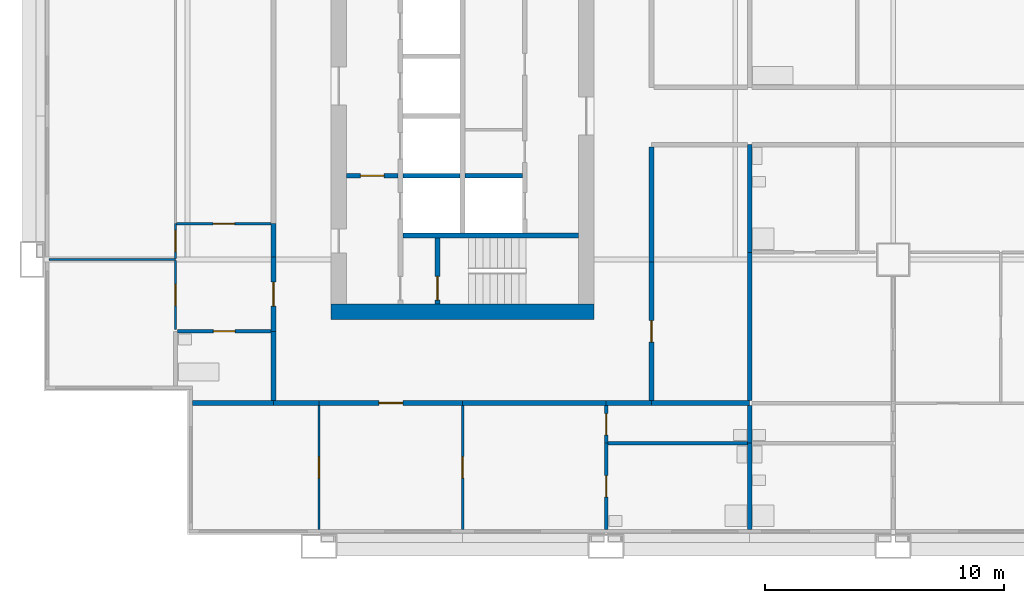
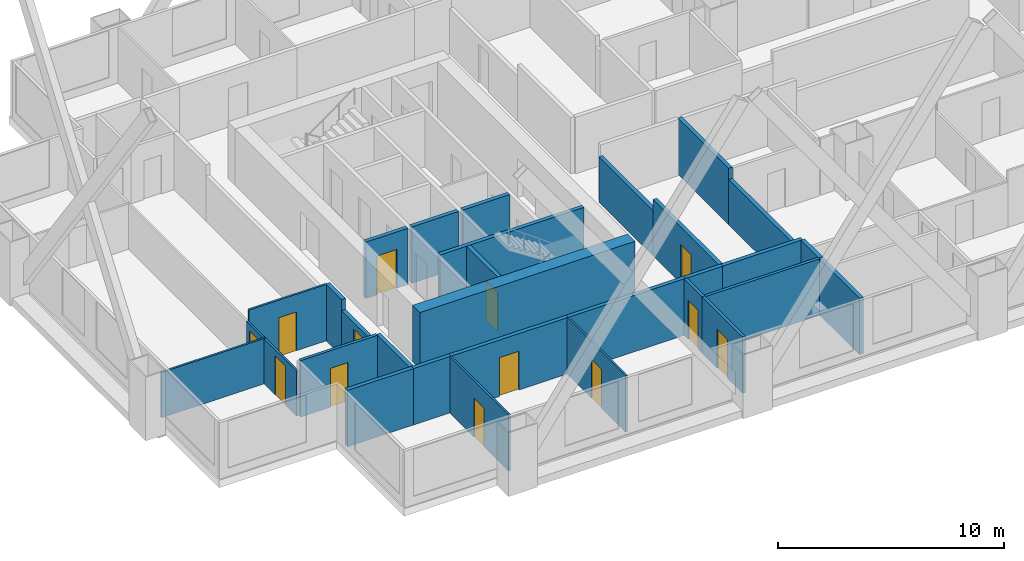
# One storey, part 2 of 11: 31 walls, 13 doors, 13 openings.
"""IFC4 building model written with IfcOpenShell, lengths in metres."""

from ifc_helpers import new_model, si_unit, direction, frame, frame_2d, origin, place, context, subcontext, project, spatial, rectangle, extrude, material, layer, layer_set, type_object, element, fill, save


model = new_model("IFC4")

# Units and contexts
model_context = context("Model", 3, precision=1e-05, world=origin(), true_north=direction((0.0, 1.0)))
body_context = subcontext(model_context, "Body", "Model", "MODEL_VIEW")
ifc_project = project(units=[si_unit("LENGTHUNIT", "METRE"), si_unit("AREAUNIT", "SQUARE_METRE"), si_unit("VOLUMEUNIT", "CUBIC_METRE"), si_unit("PLANEANGLEUNIT", "RADIAN"), si_unit("MASSUNIT", "GRAM", prefix="KILO")], contexts=[model_context])

# Site, building, storey
site_placement = place(None, origin())
site = spatial("IfcSite", under=ifc_project, at=site_placement, CompositionType="ELEMENT")
building_placement = place(site_placement, origin())
building = spatial("IfcBuilding", under=site, at=building_placement, Name="Kitamizu Gate Tower and Museum", CompositionType="ELEMENT")
storey_placement = place(building_placement, frame((0.0, 0.0, 113.85009765625)))
storey = spatial("IfcBuildingStorey", under=building, at=storey_placement, Name="L29", CompositionType="ELEMENT", Elevation=113.85009765625)

# Wall
ifc_material_1 = material(Name="Concrete Fc60", Category="concrete")
ifc_layer_1 = layer(ifc_material_1, 0.64990234375)
ifc_layer_set_1 = layer_set([ifc_layer_1], Name="Concrete Fc60")
wall_type_1 = type_object("IfcWallType", Name="Core wall 650", PredefinedType="SHEAR", material=ifc_layer_set_1)
wall_1_placement = place(storey_placement, frame((12.5, 21.824951171875, 0.0), z_axis=(0.0, 0.0, 1.0), x_axis=(1.0, 0.0, 0.0)))
element("IfcWall", 1, at=wall_1_placement, inside=storey, type_object=wall_type_1, Name="Core wall WS", PredefinedType="SHEAR", context=body_context, shape_type="SweptSolid", body=[
    extrude(rectangle(XDim=11.0, YDim=0.64990234375, at=frame_2d((5.5, 0.0))), origin(), (0.0, 0.0, 1.0), 3.0498046875),
])

# Wall, opening, door
ifc_material_2 = material(Name="Gypsum board on galvanised stud")
ifc_layer_2 = layer(ifc_material_2, 0.10009765625)
ifc_layer_set_2 = layer_set([ifc_layer_2], Name="Gypsum board on galvanised stud")
wall_type_2 = type_object("IfcWallType", Name="Partition 100 NOT RATED", PredefinedType="PARTITIONING", material=ifc_layer_set_2)
wall_2_placement = place(storey_placement, frame((12.0, 12.719970703125, 0.0), z_axis=(0.0, 0.0, 1.0), x_axis=(0.0, 1.0, 0.0)))
wall_2 = element("IfcWall", 2, at=wall_2_placement, inside=storey, type_object=wall_type_2, Name="Partition L29-001", PredefinedType="PARTITIONING", context=body_context, shape_type="SweptSolid", body=[
    extrude(rectangle(XDim=5.179931640625, YDim=0.10009765625, at=frame_2d((2.58984375, 0.0))), origin(), (0.0, 0.0, 1.0), 3.0498046875),
])
opening_1_placement = place(wall_2_placement, frame((2.139892578125, 0.0, 0.0)))
opening_1 = element("IfcOpeningElement", 3, at=opening_1_placement, cuts=wall_2, Name="Opening L29-002", PredefinedType="OPENING", context=body_context, shape_type="SweptSolid", body=[
    extrude(rectangle(XDim=0.89990234375, YDim=2.10009765625, at=frame_2d((0.449951171875, 1.050048828125))), frame((0.0, 0.06005859375, 0.0), z_axis=(0.0, -1.0, 0.0), x_axis=(1.0, 0.0, 0.0)), (0.0, 0.0, 1.0), 0.1201171875),
])
ifc_material_3 = material(Name="Timber door set", Category="wood")
door_type_1 = type_object("IfcDoorType", Name="Room door 900", OperationType="NOTDEFINED", PredefinedType="DOOR", material=ifc_material_3)
door_1_placement = place(opening_1_placement, origin())
door_1 = element("IfcDoor", 4, at=door_1_placement, inside=storey, type_object=door_type_1, Name="Door L29-002", OperationType="SINGLE_SWING_LEFT", OverallHeight=2.10009765625, OverallWidth=0.89990234375, PredefinedType="DOOR", context=body_context, shape_type="SweptSolid", body=[
    extrude(rectangle(XDim=0.89990234375, YDim=2.10009765625, at=frame_2d((0.449951171875, 1.050048828125))), frame((0.0, 0.02490234375, 0.0), z_axis=(0.0, -1.0, 0.0), x_axis=(1.0, 0.0, 0.0)), (0.0, 0.0, 1.0), 0.050048828125),
])
fill(opening_1, door_1)

wall_3_placement = place(storey_placement, frame((18.0, 12.719970703125, 0.0), z_axis=(0.0, 0.0, 1.0), x_axis=(0.0, 1.0, 0.0)))
wall_3 = element("IfcWall", 5, at=wall_3_placement, inside=storey, type_object=wall_type_2, Name="Partition L29-004", PredefinedType="PARTITIONING", context=body_context, shape_type="SweptSolid", body=[
    extrude(rectangle(XDim=5.179931640625, YDim=0.10009765625, at=frame_2d((2.58984375, 0.0))), origin(), (0.0, 0.0, 1.0), 3.0498046875),
])
opening_2_placement = place(wall_3_placement, frame((2.139892578125, 0.0, 0.0)))
opening_2 = element("IfcOpeningElement", 6, at=opening_2_placement, cuts=wall_3, Name="Opening L29-003", PredefinedType="OPENING", context=body_context, shape_type="SweptSolid", body=[
    extrude(rectangle(XDim=0.89990234375, YDim=2.10009765625, at=frame_2d((0.449951171875, 1.050048828125))), frame((0.0, 0.06005859375, 0.0), z_axis=(0.0, -1.0, 0.0), x_axis=(1.0, 0.0, 0.0)), (0.0, 0.0, 1.0), 0.1201171875),
])
door_2_placement = place(opening_2_placement, frame((0.89990234375, 0.0, 0.0), x_axis=(-1.0, 0.0, 0.0)))
door_2 = element("IfcDoor", 7, at=door_2_placement, inside=storey, type_object=door_type_1, Name="Door L29-003", OperationType="SINGLE_SWING_LEFT", OverallHeight=2.10009765625, OverallWidth=0.89990234375, PredefinedType="DOOR", context=body_context, shape_type="SweptSolid", body=[
    extrude(rectangle(XDim=0.89990234375, YDim=2.10009765625, at=frame_2d((0.449951171875, 1.050048828125))), frame((0.0, 0.02490234375, 0.0), z_axis=(0.0, -1.0, 0.0), x_axis=(1.0, 0.0, 0.0)), (0.0, 0.0, 1.0), 0.050048828125),
])
fill(opening_2, door_2)

# Wall
wall_4_placement = place(storey_placement, frame((6.0, 24.0, 0.0), z_axis=(0.0, 0.0, 1.0), x_axis=(-1.0, 0.0, 0.0)))
element("IfcWall", 8, at=wall_4_placement, inside=storey, type_object=wall_type_2, Name="Partition L29-019", PredefinedType="PARTITIONING", context=body_context, shape_type="SweptSolid", body=[
    extrude(rectangle(XDim=5.280029296875, YDim=0.10009765625, at=frame_2d((2.64013671875, 0.0))), origin(), (0.0, 0.0, 1.0), 2.449951171875),
])

# Wall, opening, door
wall_5_placement = place(storey_placement, frame((6.0, 21.074951171875, 0.0), z_axis=(0.0, 0.0, 1.0), x_axis=(0.0, 1.0, 0.0)))
wall_5 = element("IfcWall", 9, at=wall_5_placement, inside=storey, type_object=wall_type_2, Name="Partition L29-021", PredefinedType="PARTITIONING", context=body_context, shape_type="SweptSolid", body=[
    extrude(rectangle(XDim=2.875, YDim=0.10009765625, at=frame_2d((1.4375, 0.0))), origin(), (0.0, 0.0, 1.0), 2.449951171875),
])
opening_3_placement = place(wall_5_placement, frame((0.987548828125, 0.0, 0.0)))
opening_3 = element("IfcOpeningElement", 10, at=opening_3_placement, cuts=wall_5, Name="Opening L29-007", PredefinedType="OPENING", context=body_context, shape_type="SweptSolid", body=[
    extrude(rectangle(XDim=0.89990234375, YDim=2.10009765625, at=frame_2d((0.449951171875, 1.050048828125))), frame((0.0, 0.06005859375, 0.0), z_axis=(0.0, -1.0, 0.0), x_axis=(1.0, 0.0, 0.0)), (0.0, 0.0, 1.0), 0.1201171875),
])
door_3_placement = place(opening_3_placement, origin())
door_3 = element("IfcDoor", 11, at=door_3_placement, inside=storey, type_object=door_type_1, Name="Door L29-007", OperationType="SINGLE_SWING_LEFT", OverallHeight=2.10009765625, OverallWidth=0.89990234375, PredefinedType="DOOR", context=body_context, shape_type="SweptSolid", body=[
    extrude(rectangle(XDim=0.89990234375, YDim=2.10009765625, at=frame_2d((0.449951171875, 1.050048828125))), frame((0.0, 0.02490234375, 0.0), z_axis=(0.0, -1.0, 0.0), x_axis=(1.0, 0.0, 0.0)), (0.0, 0.0, 1.0), 0.050048828125),
])
fill(opening_3, door_3)

wall_6_placement = place(storey_placement, frame((6.0, 24.050048828125, 0.0), z_axis=(0.0, 0.0, 1.0), x_axis=(0.0, 1.0, 0.0)))
wall_6 = element("IfcWall", 12, at=wall_6_placement, inside=storey, type_object=wall_type_2, Name="Partition L29-023", PredefinedType="PARTITIONING", context=body_context, shape_type="SweptSolid", body=[
    extrude(rectangle(XDim=1.449951171875, YDim=0.10009765625, at=frame_2d((0.72509765625, 0.0))), origin(), (0.0, 0.0, 1.0), 2.449951171875),
])
opening_4_placement = place(wall_6_placement, frame((0.27490234375, 0.0, 0.0)))
opening_4 = element("IfcOpeningElement", 13, at=opening_4_placement, cuts=wall_6, Name="Opening L29-008", PredefinedType="OPENING", context=body_context, shape_type="SweptSolid", body=[
    extrude(rectangle(XDim=0.89990234375, YDim=2.10009765625, at=frame_2d((0.449951171875, 1.050048828125))), frame((0.0, 0.06005859375, 0.0), z_axis=(0.0, -1.0, 0.0), x_axis=(1.0, 0.0, 0.0)), (0.0, 0.0, 1.0), 0.1201171875),
])
door_4_placement = place(opening_4_placement, origin())
door_4 = element("IfcDoor", 14, at=door_4_placement, inside=storey, type_object=door_type_1, Name="Door L29-008", OperationType="SINGLE_SWING_RIGHT", OverallHeight=2.10009765625, OverallWidth=0.89990234375, PredefinedType="DOOR", context=body_context, shape_type="SweptSolid", body=[
    extrude(rectangle(XDim=0.89990234375, YDim=2.10009765625, at=frame_2d((0.449951171875, 1.050048828125))), frame((0.0, 0.02490234375, 0.0), z_axis=(0.0, -1.0, 0.0), x_axis=(1.0, 0.0, 0.0)), (0.0, 0.0, 1.0), 0.050048828125),
])
fill(opening_4, door_4)

wall_7_placement = place(storey_placement, frame((10.0, 25.5, 0.0), z_axis=(0.0, 0.0, 1.0), x_axis=(-1.0, 0.0, 0.0)))
wall_7 = element("IfcWall", 15, at=wall_7_placement, inside=storey, type_object=wall_type_2, Name="Partition L29-029", PredefinedType="PARTITIONING", context=body_context, shape_type="SweptSolid", body=[
    extrude(rectangle(XDim=3.949951171875, YDim=0.10009765625, at=frame_2d((1.97509765625, 0.0))), origin(), (0.0, 0.0, 1.0), 3.0498046875),
])
opening_5_placement = place(wall_7_placement, frame((1.52490234375, 0.0, 0.0)))
opening_5 = element("IfcOpeningElement", 16, at=opening_5_placement, cuts=wall_7, Name="Opening L29-009", PredefinedType="OPENING", context=body_context, shape_type="SweptSolid", body=[
    extrude(rectangle(XDim=0.89990234375, YDim=2.10009765625, at=frame_2d((0.449951171875, 1.050048828125))), frame((0.0, 0.06005859375, 0.0), z_axis=(0.0, -1.0, 0.0), x_axis=(1.0, 0.0, 0.0)), (0.0, 0.0, 1.0), 0.1201171875),
])
door_5_placement = place(opening_5_placement, origin())
door_5 = element("IfcDoor", 17, at=door_5_placement, inside=storey, type_object=door_type_1, Name="Door L29-009", OperationType="SINGLE_SWING_LEFT", OverallHeight=2.10009765625, OverallWidth=0.89990234375, PredefinedType="DOOR", context=body_context, shape_type="SweptSolid", body=[
    extrude(rectangle(XDim=0.89990234375, YDim=2.10009765625, at=frame_2d((0.449951171875, 1.050048828125))), frame((0.0, 0.02490234375, 0.0), z_axis=(0.0, -1.0, 0.0), x_axis=(1.0, 0.0, 0.0)), (0.0, 0.0, 1.0), 0.050048828125),
])
fill(opening_5, door_5)

ifc_material_4 = material(Name="Gypsum board on galvanised stud")
ifc_layer_3 = layer(ifc_material_4, 0.14990234375)
ifc_layer_set_3 = layer_set([ifc_layer_3], Name="Gypsum board on galvanised stud")
wall_type_3 = type_object("IfcWallType", Name="Partition 150", PredefinedType="PARTITIONING", material=ifc_layer_set_3)
wall_8_placement = place(storey_placement, frame((24.0, 12.719970703125, 0.0), z_axis=(0.0, 0.0, 1.0), x_axis=(0.0, 1.0, 0.0)))
wall_8 = element("IfcWall", 18, at=wall_8_placement, inside=storey, type_object=wall_type_3, Name="Partition L29-006", PredefinedType="PARTITIONING", context=body_context, shape_type="SweptSolid", body=[
    extrude(rectangle(XDim=3.60009765625, YDim=0.14990234375, at=frame_2d((1.800048828125, 0.0))), origin(), (0.0, 0.0, 1.0), 3.0498046875),
])
opening_6_placement = place(wall_8_placement, frame((1.35009765625, 0.0, 0.0)))
opening_6 = element("IfcOpeningElement", 19, at=opening_6_placement, cuts=wall_8, Name="Opening L29-004", PredefinedType="OPENING", context=body_context, shape_type="SweptSolid", body=[
    extrude(rectangle(XDim=0.89990234375, YDim=2.10009765625, at=frame_2d((0.449951171875, 1.050048828125))), frame((0.0, 0.0849609375, 0.0), z_axis=(0.0, -1.0, 0.0), x_axis=(1.0, 0.0, 0.0)), (0.0, 0.0, 1.0), 0.169921875),
])
ifc_material_5 = material(Name="Timber door set", Category="wood")
door_type_2 = type_object("IfcDoorType", Name="Bathroom door 900", OperationType="NOTDEFINED", PredefinedType="DOOR", material=ifc_material_5)
door_6_placement = place(opening_6_placement, frame((0.89990234375, 0.0, 0.0), x_axis=(-1.0, 0.0, 0.0)))
door_6 = element("IfcDoor", 20, at=door_6_placement, inside=storey, type_object=door_type_2, Name="Bathroom door L29-004", OperationType="SINGLE_SWING_RIGHT", OverallHeight=2.10009765625, OverallWidth=0.89990234375, PredefinedType="DOOR", context=body_context, shape_type="SweptSolid", body=[
    extrude(rectangle(XDim=0.89990234375, YDim=2.10009765625, at=frame_2d((0.449951171875, 1.050048828125))), frame((0.0, 0.02490234375, 0.0), z_axis=(0.0, -1.0, 0.0), x_axis=(1.0, 0.0, 0.0)), (0.0, 0.0, 1.0), 0.050048828125),
])
fill(opening_6, door_6)

wall_9_placement = place(storey_placement, frame((24.0, 16.320068359375, 0.0), z_axis=(0.0, 0.0, 1.0), x_axis=(0.0, 1.0, 0.0)))
wall_9 = element("IfcWall", 21, at=wall_9_placement, inside=storey, type_object=wall_type_3, Name="Partition L29-007", PredefinedType="PARTITIONING", context=body_context, shape_type="SweptSolid", body=[
    extrude(rectangle(XDim=1.579833984375, YDim=0.14990234375, at=frame_2d((0.7900390625, 0.0))), origin(), (0.0, 0.0, 1.0), 3.0498046875),
])
opening_7_placement = place(wall_9_placement, frame((0.340087890625, 0.0, 0.0)))
opening_7 = element("IfcOpeningElement", 22, at=opening_7_placement, cuts=wall_9, Name="Opening L29-005", PredefinedType="OPENING", context=body_context, shape_type="SweptSolid", body=[
    extrude(rectangle(XDim=0.89990234375, YDim=2.10009765625, at=frame_2d((0.449951171875, 1.050048828125))), frame((0.0, 0.0849609375, 0.0), z_axis=(0.0, -1.0, 0.0), x_axis=(1.0, 0.0, 0.0)), (0.0, 0.0, 1.0), 0.169921875),
])
door_7_placement = place(opening_7_placement, frame((0.89990234375, 0.0, 0.0), x_axis=(-1.0, 0.0, 0.0)))
door_7 = element("IfcDoor", 23, at=door_7_placement, inside=storey, type_object=door_type_2, Name="Bathroom door L29-005", OperationType="SINGLE_SWING_LEFT", OverallHeight=2.10009765625, OverallWidth=0.89990234375, PredefinedType="DOOR", context=body_context, shape_type="SweptSolid", body=[
    extrude(rectangle(XDim=0.89990234375, YDim=2.10009765625, at=frame_2d((0.449951171875, 1.050048828125))), frame((0.0, 0.02490234375, 0.0), z_axis=(0.0, -1.0, 0.0), x_axis=(1.0, 0.0, 0.0)), (0.0, 0.0, 1.0), 0.050048828125),
])
fill(opening_7, door_7)

# Wall
wall_10_placement = place(storey_placement, frame((29.89990234375, 16.320068359375, 0.0), z_axis=(0.0, 0.0, 1.0), x_axis=(-1.0, 0.0, 0.0)))
element("IfcWall", 24, at=wall_10_placement, inside=storey, type_object=wall_type_3, Name="Partition L29-009", PredefinedType="PARTITIONING", context=body_context, shape_type="SweptSolid", body=[
    extrude(rectangle(XDim=5.824951171875, YDim=0.14990234375, at=frame_2d((2.91259765625, 0.0))), origin(), (0.0, 0.0, 1.0), 3.0498046875),
])

# Wall, opening, door
wall_11_placement = place(storey_placement, frame((10.0, 21.0, 0.0), z_axis=(0.0, 0.0, 1.0), x_axis=(-1.0, 0.0, 0.0)))
wall_11 = element("IfcWall", 25, at=wall_11_placement, inside=storey, type_object=wall_type_3, Name="Partition L29-027", PredefinedType="PARTITIONING", context=body_context, shape_type="SweptSolid", body=[
    extrude(rectangle(XDim=3.925048828125, YDim=0.14990234375, at=frame_2d((1.96240234375, 0.0))), origin(), (0.0, 0.0, 1.0), 3.0498046875),
])
opening_8_placement = place(wall_11_placement, frame((1.512451171875, 0.0, 0.0)))
opening_8 = element("IfcOpeningElement", 26, at=opening_8_placement, cuts=wall_11, Name="Opening L29-011", PredefinedType="OPENING", context=body_context, shape_type="SweptSolid", body=[
    extrude(rectangle(XDim=0.89990234375, YDim=2.10009765625, at=frame_2d((0.449951171875, 1.050048828125))), frame((0.0, 0.0849609375, 0.0), z_axis=(0.0, -1.0, 0.0), x_axis=(1.0, 0.0, 0.0)), (0.0, 0.0, 1.0), 0.169921875),
])
door_8_placement = place(opening_8_placement, origin())
door_8 = element("IfcDoor", 27, at=door_8_placement, inside=storey, type_object=door_type_2, Name="Bathroom door L29-011", OperationType="SINGLE_SWING_LEFT", OverallHeight=2.10009765625, OverallWidth=0.89990234375, PredefinedType="DOOR", context=body_context, shape_type="SweptSolid", body=[
    extrude(rectangle(XDim=0.89990234375, YDim=2.10009765625, at=frame_2d((0.449951171875, 1.050048828125))), frame((0.0, 0.02490234375, 0.0), z_axis=(0.0, -1.0, 0.0), x_axis=(1.0, 0.0, 0.0)), (0.0, 0.0, 1.0), 0.050048828125),
])
fill(opening_8, door_8)

# Walls
ifc_material_6 = material(Name="Gypsum board on galvanised stud")
ifc_layer_4 = layer(ifc_material_6, 0.199951171875)
ifc_layer_set_4 = layer_set([ifc_layer_4], Name="Gypsum board on galvanised stud")
wall_type_4 = type_object("IfcWallType", Name="Partition 200", PredefinedType="PARTITIONING", material=ifc_layer_set_4)
wall_12_placement = place(storey_placement, frame((10.10009765625, 18.0, 0.0), z_axis=(0.0, 0.0, 1.0), x_axis=(-1.0, 0.0, 0.0)))
element("IfcWall", 28, at=wall_12_placement, inside=storey, type_object=wall_type_4, Name="Partition L29-002", PredefinedType="PARTITIONING", context=body_context, shape_type="SweptSolid", body=[
    extrude(rectangle(XDim=3.380126953125, YDim=0.199951171875, at=frame_2d((1.68994140625, 0.0))), origin(), (0.0, 0.0, 1.0), 3.0498046875),
])
wall_13_placement = place(storey_placement, frame((12.0, 18.0, 0.0), z_axis=(0.0, 0.0, 1.0), x_axis=(-1.0, 0.0, 0.0)))
element("IfcWall", 29, at=wall_13_placement, inside=storey, type_object=wall_type_4, Name="Partition L29-003", PredefinedType="PARTITIONING", context=body_context, shape_type="SweptSolid", body=[
    extrude(rectangle(XDim=1.89990234375, YDim=0.199951171875, at=frame_2d((0.949951171875, 0.0))), origin(), (0.0, 0.0, 1.0), 3.0498046875),
])

# Wall, opening, door
wall_14_placement = place(storey_placement, frame((18.0, 18.0, 0.0), z_axis=(0.0, 0.0, 1.0), x_axis=(-1.0, 0.0, 0.0)))
wall_14 = element("IfcWall", 30, at=wall_14_placement, inside=storey, type_object=wall_type_4, Name="Partition L29-005", PredefinedType="PARTITIONING", context=body_context, shape_type="SweptSolid", body=[
    extrude(rectangle(XDim=6.0, YDim=0.199951171875, at=frame_2d((3.0, 0.0))), origin(), (0.0, 0.0, 1.0), 3.0498046875),
])
opening_9_placement = place(wall_14_placement, frame((2.5, 0.0, 0.0)))
opening_9 = element("IfcOpeningElement", 31, at=opening_9_placement, cuts=wall_14, Name="Opening L29-001", PredefinedType="OPENING", context=body_context, shape_type="SweptSolid", body=[
    extrude(rectangle(XDim=1.0, YDim=2.10009765625, at=frame_2d((0.5, 1.050048828125))), frame((0.0, 0.10986328125, 0.0), z_axis=(0.0, -1.0, 0.0), x_axis=(1.0, 0.0, 0.0)), (0.0, 0.0, 1.0), 0.219970703125),
])
ifc_material_7 = material(Name="Timber door set", Category="wood")
door_type_3 = type_object("IfcDoorType", Name="Flat entrance door 1000", OperationType="NOTDEFINED", PredefinedType="DOOR", material=ifc_material_7)
door_9_placement = place(opening_9_placement, origin())
door_9 = element("IfcDoor", 32, at=door_9_placement, inside=storey, type_object=door_type_3, Name="Flat entrance door L29-001", OperationType="SINGLE_SWING_RIGHT", OverallHeight=2.10009765625, OverallWidth=1.0, PredefinedType="DOOR", context=body_context, shape_type="SweptSolid", body=[
    extrude(rectangle(XDim=1.0, YDim=2.10009765625, at=frame_2d((0.5, 1.050048828125))), frame((0.0, 0.02490234375, 0.0), z_axis=(0.0, -1.0, 0.0), x_axis=(1.0, 0.0, 0.0)), (0.0, 0.0, 1.0), 0.050048828125),
])
fill(opening_9, door_9)

# Walls
wall_15_placement = place(storey_placement, frame((24.0, 18.0, 0.0), z_axis=(0.0, 0.0, 1.0), x_axis=(-1.0, 0.0, 0.0)))
element("IfcWall", 33, at=wall_15_placement, inside=storey, type_object=wall_type_4, Name="Partition L29-008", PredefinedType="PARTITIONING", context=body_context, shape_type="SweptSolid", body=[
    extrude(rectangle(XDim=6.0, YDim=0.199951171875, at=frame_2d((3.0, 0.0))), origin(), (0.0, 0.0, 1.0), 3.0498046875),
])
wall_16_placement = place(storey_placement, frame((30.0, 12.719970703125, 0.0), z_axis=(0.0, 0.0, 1.0), x_axis=(0.0, 1.0, 0.0)))
element("IfcWall", 34, at=wall_16_placement, inside=storey, type_object=wall_type_4, Name="Partition L29-010", PredefinedType="PARTITIONING", context=body_context, shape_type="SweptSolid", body=[
    extrude(rectangle(XDim=3.60009765625, YDim=0.199951171875, at=frame_2d((1.800048828125, 0.0))), origin(), (0.0, 0.0, 1.0), 3.0498046875),
])
wall_17_placement = place(storey_placement, frame((30.0, 18.0, 0.0), z_axis=(0.0, 0.0, 1.0), x_axis=(-1.0, 0.0, 0.0)))
element("IfcWall", 35, at=wall_17_placement, inside=storey, type_object=wall_type_4, Name="Partition L29-011", PredefinedType="PARTITIONING", context=body_context, shape_type="SweptSolid", body=[
    extrude(rectangle(XDim=4.10009765625, YDim=0.199951171875, at=frame_2d((2.050048828125, 0.0))), origin(), (0.0, 0.0, 1.0), 3.0498046875),
])
wall_18_placement = place(storey_placement, frame((30.0, 16.320068359375, 0.0), z_axis=(0.0, 0.0, 1.0), x_axis=(0.0, 1.0, 0.0)))
element("IfcWall", 36, at=wall_18_placement, inside=storey, type_object=wall_type_4, Name="Partition L29-012", PredefinedType="PARTITIONING", context=body_context, shape_type="SweptSolid", body=[
    extrude(rectangle(XDim=1.579833984375, YDim=0.199951171875, at=frame_2d((0.7900390625, 0.0))), origin(), (0.0, 0.0, 1.0), 3.0498046875),
])
wall_19_placement = place(storey_placement, frame((25.89990234375, 18.0, 0.0), z_axis=(0.0, 0.0, 1.0), x_axis=(-1.0, 0.0, 0.0)))
element("IfcWall", 37, at=wall_19_placement, inside=storey, type_object=wall_type_4, Name="Partition L29-013", PredefinedType="PARTITIONING", context=body_context, shape_type="SweptSolid", body=[
    extrude(rectangle(XDim=1.89990234375, YDim=0.199951171875, at=frame_2d((0.949951171875, 0.0))), origin(), (0.0, 0.0, 1.0), 3.0498046875),
])
wall_20_placement = place(storey_placement, frame((30.0, 18.10009765625, 0.0), z_axis=(0.0, 0.0, 1.0), x_axis=(0.0, 1.0, 0.0)))
element("IfcWall", 38, at=wall_20_placement, inside=storey, type_object=wall_type_4, Name="Partition L29-014", PredefinedType="PARTITIONING", context=body_context, shape_type="SweptSolid", body=[
    extrude(rectangle(XDim=6.199951171875, YDim=0.199951171875, at=frame_2d((3.10009765625, 0.0))), origin(), (0.0, 0.0, 1.0), 2.449951171875),
])
wall_21_placement = place(storey_placement, frame((30.0, 24.300048828125, 0.0), z_axis=(0.0, 0.0, 1.0), x_axis=(0.0, 1.0, 0.0)))
element("IfcWall", 39, at=wall_21_placement, inside=storey, type_object=wall_type_4, Name="Partition L29-015", PredefinedType="PARTITIONING", context=body_context, shape_type="SweptSolid", body=[
    extrude(rectangle(XDim=4.5, YDim=0.199951171875, at=frame_2d((2.25, 0.0))), origin(), (0.0, 0.0, 1.0), 3.0498046875),
])
wall_22_placement = place(storey_placement, frame((25.89990234375, 28.699951171875, 0.0), z_axis=(0.0, 0.0, 1.0), x_axis=(0.0, -1.0, 0.0)))
element("IfcWall", 40, at=wall_22_placement, inside=storey, type_object=wall_type_4, Name="Partition L29-017", PredefinedType="PARTITIONING", context=body_context, shape_type="SweptSolid", body=[
    extrude(rectangle(XDim=4.800048828125, YDim=0.199951171875, at=frame_2d((2.39990234375, 0.0))), origin(), (0.0, 0.0, 1.0), 2.449951171875),
])

# Wall, opening, door
wall_23_placement = place(storey_placement, frame((25.89990234375, 23.89990234375, 0.0), z_axis=(0.0, 0.0, 1.0), x_axis=(0.0, -1.0, 0.0)))
wall_23 = element("IfcWall", 41, at=wall_23_placement, inside=storey, type_object=wall_type_4, Name="Partition L29-018", PredefinedType="PARTITIONING", context=body_context, shape_type="SweptSolid", body=[
    extrude(rectangle(XDim=5.7998046875, YDim=0.199951171875, at=frame_2d((2.89990234375, 0.0))), origin(), (0.0, 0.0, 1.0), 3.0498046875),
])
opening_10_placement = place(wall_23_placement, frame((2.449951171875, 0.0, 0.0)))
opening_10 = element("IfcOpeningElement", 42, at=opening_10_placement, cuts=wall_23, Name="Opening L29-051", PredefinedType="OPENING", context=body_context, shape_type="SweptSolid", body=[
    extrude(rectangle(XDim=0.89990234375, YDim=2.10009765625, at=frame_2d((0.449951171875, 1.050048828125))), frame((0.0, 0.10986328125, 0.0), z_axis=(0.0, -1.0, 0.0), x_axis=(1.0, 0.0, 0.0)), (0.0, 0.0, 1.0), 0.219970703125),
])
door_10_placement = place(opening_10_placement, origin())
door_10 = element("IfcDoor", 43, at=door_10_placement, inside=storey, type_object=door_type_1, Name="Door L29-051", OperationType="SINGLE_SWING_RIGHT", OverallHeight=2.10009765625, OverallWidth=0.89990234375, PredefinedType="DOOR", context=body_context, shape_type="SweptSolid", body=[
    extrude(rectangle(XDim=0.89990234375, YDim=2.10009765625, at=frame_2d((0.449951171875, 1.050048828125))), frame((0.0, 0.02490234375, 0.0), z_axis=(0.0, -1.0, 0.0), x_axis=(1.0, 0.0, 0.0)), (0.0, 0.0, 1.0), 0.050048828125),
])
fill(opening_10, door_10)

# Wall
wall_24_placement = place(storey_placement, frame((10.10009765625, 18.10009765625, 0.0), z_axis=(0.0, 0.0, 1.0), x_axis=(0.0, 1.0, 0.0)))
element("IfcWall", 44, at=wall_24_placement, inside=storey, type_object=wall_type_4, Name="Partition L29-028", PredefinedType="PARTITIONING", context=body_context, shape_type="SweptSolid", body=[
    extrude(rectangle(XDim=2.89990234375, YDim=0.199951171875, at=frame_2d((1.449951171875, 0.0))), origin(), (0.0, 0.0, 1.0), 3.0498046875),
])

# Wall, opening, door
wall_25_placement = place(storey_placement, frame((10.10009765625, 21.0, 0.0), z_axis=(0.0, 0.0, 1.0), x_axis=(0.0, 1.0, 0.0)))
wall_25 = element("IfcWall", 45, at=wall_25_placement, inside=storey, type_object=wall_type_4, Name="Partition L29-030", PredefinedType="PARTITIONING", context=body_context, shape_type="SweptSolid", body=[
    extrude(rectangle(XDim=3.10009765625, YDim=0.199951171875, at=frame_2d((1.550048828125, 0.0))), origin(), (0.0, 0.0, 1.0), 2.449951171875),
])
opening_11_placement = place(wall_25_placement, frame((1.050048828125, 0.0, 0.0)))
opening_11 = element("IfcOpeningElement", 46, at=opening_11_placement, cuts=wall_25, Name="Opening L29-006", PredefinedType="OPENING", context=body_context, shape_type="SweptSolid", body=[
    extrude(rectangle(XDim=1.0, YDim=2.10009765625, at=frame_2d((0.5, 1.050048828125))), frame((0.0, 0.10986328125, 0.0), z_axis=(0.0, -1.0, 0.0), x_axis=(1.0, 0.0, 0.0)), (0.0, 0.0, 1.0), 0.219970703125),
])
door_11_placement = place(opening_11_placement, origin())
door_11 = element("IfcDoor", 47, at=door_11_placement, inside=storey, type_object=door_type_3, Name="Flat entrance door L29-006", OperationType="SINGLE_SWING_RIGHT", OverallHeight=2.10009765625, OverallWidth=1.0, PredefinedType="DOOR", context=body_context, shape_type="SweptSolid", body=[
    extrude(rectangle(XDim=1.0, YDim=2.10009765625, at=frame_2d((0.5, 1.050048828125))), frame((0.0, 0.02490234375, 0.0), z_axis=(0.0, -1.0, 0.0), x_axis=(1.0, 0.0, 0.0)), (0.0, 0.0, 1.0), 0.050048828125),
])
fill(opening_11, door_11)

# Walls
wall_26_placement = place(storey_placement, frame((10.10009765625, 24.10009765625, 0.0), z_axis=(0.0, 0.0, 1.0), x_axis=(0.0, 1.0, 0.0)))
element("IfcWall", 48, at=wall_26_placement, inside=storey, type_object=wall_type_4, Name="Partition L29-031", PredefinedType="PARTITIONING", context=body_context, shape_type="SweptSolid", body=[
    extrude(rectangle(XDim=1.39990234375, YDim=0.199951171875, at=frame_2d((0.699951171875, 0.0))), origin(), (0.0, 0.0, 1.0), 3.0498046875),
])
ifc_material_8 = material(Name="Concrete Fc42", Category="concrete")
ifc_layer_5 = layer(ifc_material_8, 0.199951171875)
ifc_layer_set_5 = layer_set([ifc_layer_5], Name="Concrete Fc42")
wall_type_5 = type_object("IfcWallType", Name="Shaft wall 200", PredefinedType="SOLIDWALL", material=ifc_layer_set_5)
wall_27_placement = place(storey_placement, frame((15.5, 25.0, 0.0), z_axis=(0.0, 0.0, 1.0), x_axis=(1.0, 0.0, 0.0)))
element("IfcWall", 49, at=wall_27_placement, inside=storey, type_object=wall_type_5, Name="Shaft wall WSB", PredefinedType="SOLIDWALL", context=body_context, shape_type="SweptSolid", body=[
    extrude(rectangle(XDim=7.35009765625, YDim=0.199951171875, at=frame_2d((3.675048828125, 0.0))), origin(), (0.0, 0.0, 1.0), 3.0498046875),
])

# Wall, opening, door
wall_28_placement = place(storey_placement, frame((13.14990234375, 27.5, 0.0), z_axis=(0.0, 0.0, 1.0), x_axis=(1.0, 0.0, 0.0)))
wall_28 = element("IfcWall", 50, at=wall_28_placement, inside=storey, type_object=wall_type_5, Name="Shaft wall WFFN", PredefinedType="SOLIDWALL", context=body_context, shape_type="SweptSolid", body=[
    extrude(rectangle(XDim=2.150146484375, YDim=0.199951171875, at=frame_2d((1.0751953125, 0.0))), origin(), (0.0, 0.0, 1.0), 3.0498046875),
])
opening_12_placement = place(wall_28_placement, frame((0.574951171875, 0.0, 0.0)))
opening_12 = element("IfcOpeningElement", 51, at=opening_12_placement, cuts=wall_28, Name="Opening L29-057", PredefinedType="OPENING", context=body_context, shape_type="SweptSolid", body=[
    extrude(rectangle(XDim=1.0, YDim=2.10009765625, at=frame_2d((0.5, 1.050048828125))), frame((0.0, 0.10986328125, 0.0), z_axis=(0.0, -1.0, 0.0), x_axis=(1.0, 0.0, 0.0)), (0.0, 0.0, 1.0), 0.219970703125),
])
ifc_material_9 = material(Name="Hollow metal door set")
door_type_4 = type_object("IfcDoorType", Name="Fire door 1000", OperationType="NOTDEFINED", PredefinedType="DOOR", material=ifc_material_9)
door_12_placement = place(opening_12_placement, frame((1.0, 0.0, 0.0), x_axis=(-1.0, 0.0, 0.0)))
door_12 = element("IfcDoor", 52, at=door_12_placement, inside=storey, type_object=door_type_4, Name="Fire-fighting lobby door L29-057", OperationType="SINGLE_SWING_LEFT", OverallHeight=2.10009765625, OverallWidth=1.0, PredefinedType="DOOR", context=body_context, shape_type="SweptSolid", body=[
    extrude(rectangle(XDim=1.0, YDim=2.10009765625, at=frame_2d((0.5, 1.050048828125))), frame((0.0, 0.02490234375, 0.0), z_axis=(0.0, -1.0, 0.0), x_axis=(1.0, 0.0, 0.0)), (0.0, 0.0, 1.0), 0.050048828125),
])
fill(opening_12, door_12)

wall_29_placement = place(storey_placement, frame((16.949951171875, 22.14990234375, 0.0), z_axis=(0.0, 0.0, 1.0), x_axis=(0.0, 1.0, 0.0)))
wall_29 = element("IfcWall", 53, at=wall_29_placement, inside=storey, type_object=wall_type_5, Name="Shaft wall WSZ", PredefinedType="SOLIDWALL", context=body_context, shape_type="SweptSolid", body=[
    extrude(rectangle(XDim=2.75, YDim=0.199951171875, at=frame_2d((1.375, 0.0))), origin(), (0.0, 0.0, 1.0), 3.0498046875),
])
opening_13_placement = place(wall_29_placement, frame((0.14990234375, 0.0, 0.0)))
opening_13 = element("IfcOpeningElement", 54, at=opening_13_placement, cuts=wall_29, Name="Opening L29-053", PredefinedType="OPENING", context=body_context, shape_type="SweptSolid", body=[
    extrude(rectangle(XDim=1.0, YDim=2.10009765625, at=frame_2d((0.5, 1.050048828125))), frame((0.0, 0.10986328125, 0.0), z_axis=(0.0, -1.0, 0.0), x_axis=(1.0, 0.0, 0.0)), (0.0, 0.0, 1.0), 0.219970703125),
])
door_13_placement = place(opening_13_placement, frame((1.0, 0.0, 0.0), x_axis=(-1.0, 0.0, 0.0)))
door_13 = element("IfcDoor", 55, at=door_13_placement, inside=storey, type_object=door_type_4, Name="Stair door L29-053", OperationType="SINGLE_SWING_LEFT", OverallHeight=2.10009765625, OverallWidth=1.0, PredefinedType="DOOR", context=body_context, shape_type="SweptSolid", body=[
    extrude(rectangle(XDim=1.0, YDim=2.10009765625, at=frame_2d((0.5, 1.050048828125))), frame((0.0, 0.02490234375, 0.0), z_axis=(0.0, -1.0, 0.0), x_axis=(1.0, 0.0, 0.0)), (0.0, 0.0, 1.0), 0.050048828125),
])
fill(opening_13, door_13)

# Walls
for number, where, z_axis, x_axis, name in (
    (56, (15.5, 27.5, 0.0), (0.0, 0.0, 1.0), (1.0, 0.0, 0.0), "Shaft wall WDVW0"),
    (57, (18.10009765625, 27.5, 0.0), (0.0, 0.0, 1.0), (1.0, 0.0, 0.0), "Shaft wall WDVE0"),
):
    element("IfcWall", number, at=place(storey_placement, frame(where, z_axis=z_axis, x_axis=x_axis)), inside=storey, type_object=wall_type_5, Name=name, PredefinedType="SOLIDWALL", context=body_context, shape_type="SweptSolid", body=[
        extrude(rectangle(XDim=2.39990234375, YDim=0.199951171875, at=frame_2d((1.199951171875, 0.0))), origin(), (0.0, 0.0, 1.0), 3.0498046875),
    ])

save(model, "model.ifc")
